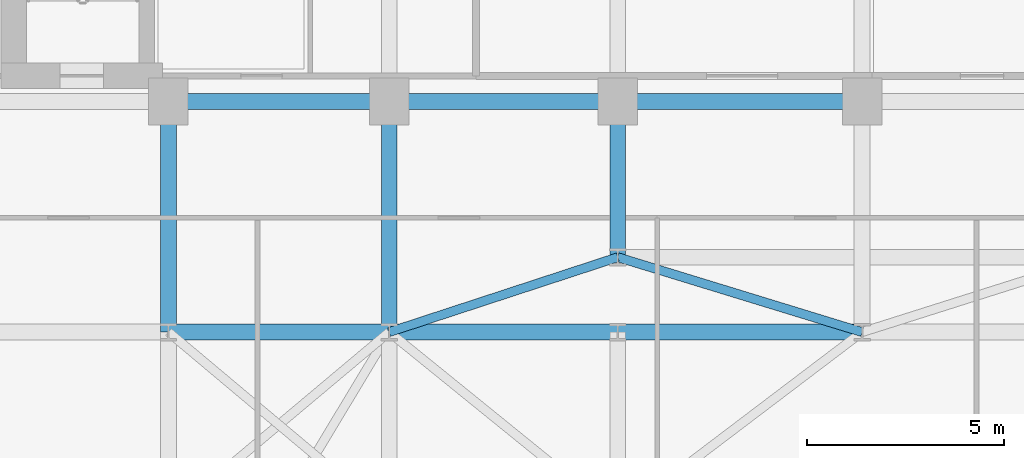
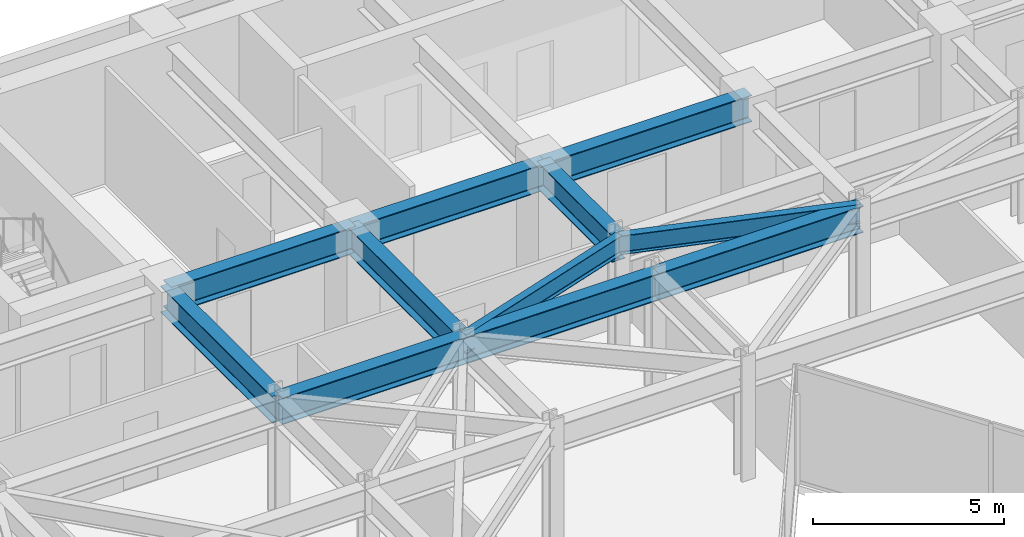
# One storey, part 14 of 26: 11 beams.
"""IFC4 building model written with IfcOpenShell, lengths in metres."""

from ifc_helpers import new_model, si_unit, direction, frame, origin, origin_2d, place, context, subcontext, project, spatial, i_section, extrude, material, material_profile, profile_set, type_object, element, save


model = new_model("IFC4")

# Units and contexts
model_context = context("Model", 3, precision=1e-05, world=origin(), true_north=direction((0.0, 1.0)))
body_context = subcontext(model_context, "Body", "Model", "MODEL_VIEW")
ifc_project = project(units=[si_unit("LENGTHUNIT", "METRE"), si_unit("AREAUNIT", "SQUARE_METRE"), si_unit("VOLUMEUNIT", "CUBIC_METRE"), si_unit("PLANEANGLEUNIT", "RADIAN"), si_unit("MASSUNIT", "GRAM", prefix="KILO")], contexts=[model_context])

# Site, building, storey
site_placement = place(None, origin())
site = spatial("IfcSite", under=ifc_project, at=site_placement, CompositionType="ELEMENT")
building_placement = place(site_placement, origin())
building = spatial("IfcBuilding", under=site, at=building_placement, Name="Kravanh Interchange Tower", CompositionType="ELEMENT")
storey_placement = place(building_placement, frame((0.0, 0.0, 128.0)))
storey = spatial("IfcBuildingStorey", under=building, at=storey_placement, Name="L30", CompositionType="ELEMENT", Elevation=128.0)

# Beams
ifc_material_1 = material(Name="Structural Steel S355", Category="steel")
ifc_material_profile_1 = material_profile(ifc_material_1, i_section(OverallWidth=0.39990234375, OverallDepth=0.85595703125, WebThickness=0.018310546875, FlangeThickness=0.029296875, FilletRadius=0.02490234375, at=origin_2d()), Name="W33X201")
ifc_profile_set_1 = profile_set([ifc_material_profile_1], Name="Structural Steel S355")
beam_type_1 = type_object("IfcBeamType", Name="Floor Beam W33X201 Structural Steel S355", PredefinedType="BEAM", material=ifc_profile_set_1)
beam_1_placement = place(storey_placement, frame((44.800048828125, 37.35009765625, 3.322021484375), z_axis=(-1.0, 0.0, 0.0), x_axis=(0.0, -1.0, 0.0)))
element("IfcBeam", 1, at=beam_1_placement, inside=storey, type_object=beam_type_1, Name="L30 Primary Floor Girder 13", PredefinedType="BEAM", context=body_context, shape_type="SweptSolid", body=[
    extrude(i_section(OverallWidth=0.39990234375, OverallDepth=0.85595703125, WebThickness=0.018310546875, FlangeThickness=0.029296875, FilletRadius=0.02490234375, at=origin_2d()), origin(), (0.0, 0.0, 1.0), 6.199951171875),
])
beam_2_placement = place(storey_placement, frame((38.60009765625, 37.35009765625, 3.322021484375), z_axis=(0.0, -1.0, 0.0), x_axis=(1.0, 0.0, 0.0)))
element("IfcBeam", 2, at=beam_2_placement, inside=storey, type_object=beam_type_1, Name="L30 Primary Floor Girder 16", PredefinedType="BEAM", context=body_context, shape_type="SweptSolid", body=[
    extrude(i_section(OverallWidth=0.39990234375, OverallDepth=0.85595703125, WebThickness=0.018310546875, FlangeThickness=0.029296875, FilletRadius=0.02490234375, at=origin_2d()), origin(), (0.0, 0.0, 1.0), 3.9501953125),
])
beam_3_placement = place(storey_placement, frame((38.60009765625, 37.35009765625, 3.322021484375), z_axis=(-1.0, 0.0, 0.0), x_axis=(0.0, -1.0, 0.0)))
element("IfcBeam", 3, at=beam_3_placement, inside=storey, type_object=beam_type_1, Name="L30 Primary Floor Girder 17", PredefinedType="BEAM", context=body_context, shape_type="SweptSolid", body=[
    extrude(i_section(OverallWidth=0.39990234375, OverallDepth=0.85595703125, WebThickness=0.018310546875, FlangeThickness=0.029296875, FilletRadius=0.02490234375, at=origin_2d()), origin(), (0.0, 0.0, 1.0), 5.800048828125),
])
beam_4_placement = place(storey_placement, frame((32.800048828125, 37.35009765625, 3.322021484375), z_axis=(-1.0, 0.0, 0.0), x_axis=(0.0, -1.0, 0.0)))
element("IfcBeam", 4, at=beam_4_placement, inside=storey, type_object=beam_type_1, Name="L30 Primary Floor Girder 20", PredefinedType="BEAM", context=body_context, shape_type="SweptSolid", body=[
    extrude(i_section(OverallWidth=0.39990234375, OverallDepth=0.85595703125, WebThickness=0.018310546875, FlangeThickness=0.029296875, FilletRadius=0.02490234375, at=origin_2d()), origin(), (0.0, 0.0, 1.0), 5.60009765625),
])
for number, where, z_axis, x_axis, name in (
    (5, (32.800048828125, 37.35009765625, 3.322021484375), (0.0, -1.0, 0.0), (1.0, 0.0, 0.0), "L30 Primary Floor Girder 21"),
    (6, (27.199951171875, 37.35009765625, 3.322021484375), (0.0, -1.0, 0.0), (1.0, 0.0, 0.0), "L30 Primary Floor Girder 24"),
):
    element("IfcBeam", number, at=place(storey_placement, frame(where, z_axis=z_axis, x_axis=x_axis)), inside=storey, type_object=beam_type_1, Name=name, PredefinedType="BEAM", context=body_context, shape_type="SweptSolid", body=[
        extrude(i_section(OverallWidth=0.39990234375, OverallDepth=0.85595703125, WebThickness=0.018310546875, FlangeThickness=0.029296875, FilletRadius=0.02490234375, at=origin_2d()), origin(), (0.0, 0.0, 1.0), 5.85009765625),
    ])
beam_5_placement = place(storey_placement, frame((27.199951171875, 31.5, 3.322021484375), z_axis=(1.0, 0.0, 0.0), x_axis=(0.0, 1.0, 0.0)))
element("IfcBeam", 7, at=beam_5_placement, inside=storey, type_object=beam_type_1, Name="L30 Primary Floor Girder 74", PredefinedType="BEAM", context=body_context, shape_type="SweptSolid", body=[
    extrude(i_section(OverallWidth=0.39990234375, OverallDepth=0.85595703125, WebThickness=0.018310546875, FlangeThickness=0.029296875, FilletRadius=0.02490234375, at=origin_2d()), origin(), (0.0, 0.0, 1.0), 5.60009765625),
])
beam_6_placement = place(storey_placement, frame((32.800048828125, 31.5, 3.322021484375), z_axis=(1.0, 0.0, 0.0), x_axis=(0.0, 1.0, 0.0)))
element("IfcBeam", 8, at=beam_6_placement, inside=storey, type_object=beam_type_1, Name="L30 Primary Floor Girder 78", PredefinedType="BEAM", context=body_context, shape_type="SweptSolid", body=[
    extrude(i_section(OverallWidth=0.39990234375, OverallDepth=0.85595703125, WebThickness=0.018310546875, FlangeThickness=0.029296875, FilletRadius=0.02490234375, at=origin_2d()), origin(), (0.0, 0.0, 1.0), 5.800048828125),
])
beam_7_placement = place(storey_placement, frame((38.60009765625, 31.5, 3.322021484375), z_axis=(1.0, 0.0, 0.0), x_axis=(0.0, 1.0, 0.0)))
element("IfcBeam", 9, at=beam_7_placement, inside=storey, type_object=beam_type_1, Name="L30 Primary Floor Girder 81", PredefinedType="BEAM", context=body_context, shape_type="SweptSolid", body=[
    extrude(i_section(OverallWidth=0.39990234375, OverallDepth=0.85595703125, WebThickness=0.018310546875, FlangeThickness=0.029296875, FilletRadius=0.02490234375, at=origin_2d()), origin(), (0.0, 0.0, 1.0), 6.199951171875),
])
ifc_material_2 = material(Name="Structural Steel S355", Category="steel")
ifc_material_profile_2 = material_profile(ifc_material_2, i_section(OverallWidth=0.22802734375, OverallDepth=0.60791015625, WebThickness=0.01123046875, FlangeThickness=0.017333984375, FilletRadius=0.02197265625, at=origin_2d()), Name="W24X76")
ifc_profile_set_2 = profile_set([ifc_material_profile_2], Name="Structural Steel S355")
beam_type_2 = type_object("IfcBeamType", Name="Floor Spandrel W24X76 Structural Steel S355", PredefinedType="SPANDREL", material=ifc_profile_set_2)
beam_8_placement = place(storey_placement, frame((32.800048828125, 31.5, 3.446044921875), z_axis=(0.950314536578, 0.31129131303, 0.0), x_axis=(-0.31129131303, 0.950314536578, 0.0)))
element("IfcBeam", 10, at=beam_8_placement, inside=storey, type_object=beam_type_2, Name="L30 Perimeter Spandrel 79", PredefinedType="SPANDREL", context=body_context, shape_type="SweptSolid", body=[
    extrude(i_section(OverallWidth=0.22802734375, OverallDepth=0.60791015625, WebThickness=0.01123046875, FlangeThickness=0.017333984375, FilletRadius=0.02197265625, at=origin_2d()), origin(), (0.0, 0.0, 1.0), 6.103271484375),
])
beam_9_placement = place(storey_placement, frame((44.800048828125, 31.5, 3.446044921875), z_axis=(-0.956115397264, 0.292990353279, 0.0), x_axis=(-0.292990353279, -0.956115397264, 0.0)))
element("IfcBeam", 11, at=beam_9_placement, inside=storey, type_object=beam_type_2, Name="L30 Perimeter Spandrel 85", PredefinedType="SPANDREL", context=body_context, shape_type="SweptSolid", body=[
    extrude(i_section(OverallWidth=0.22802734375, OverallDepth=0.60791015625, WebThickness=0.01123046875, FlangeThickness=0.017333984375, FilletRadius=0.02197265625, at=origin_2d()), origin(), (0.0, 0.0, 1.0), 6.484619140625),
])

save(model, "model.ifc")
